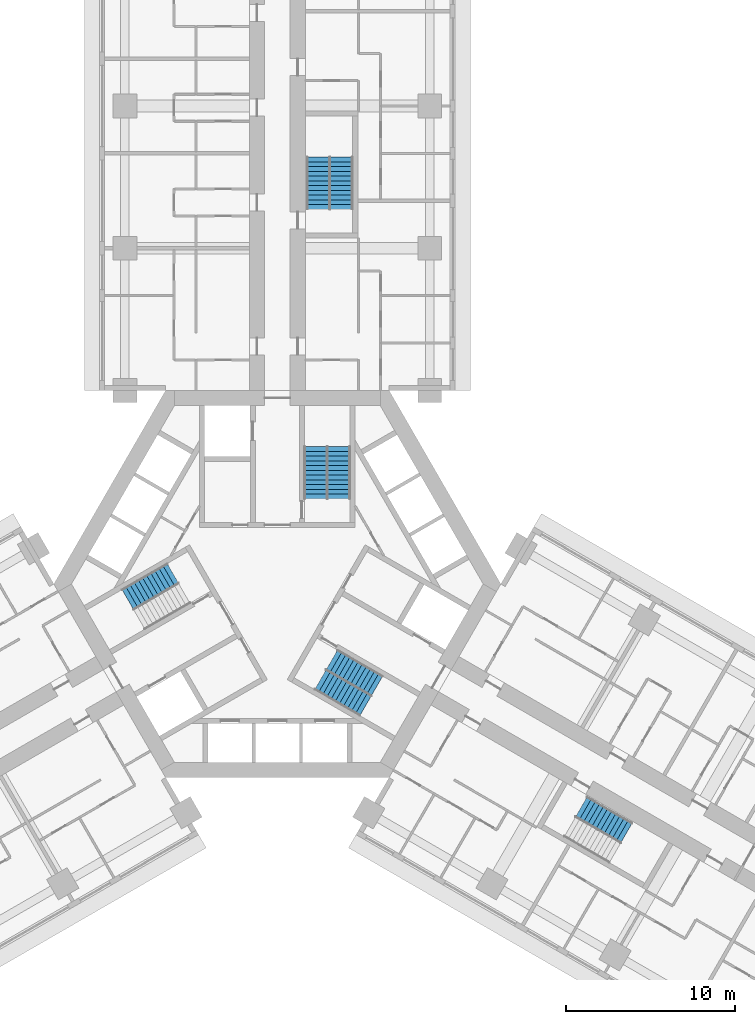
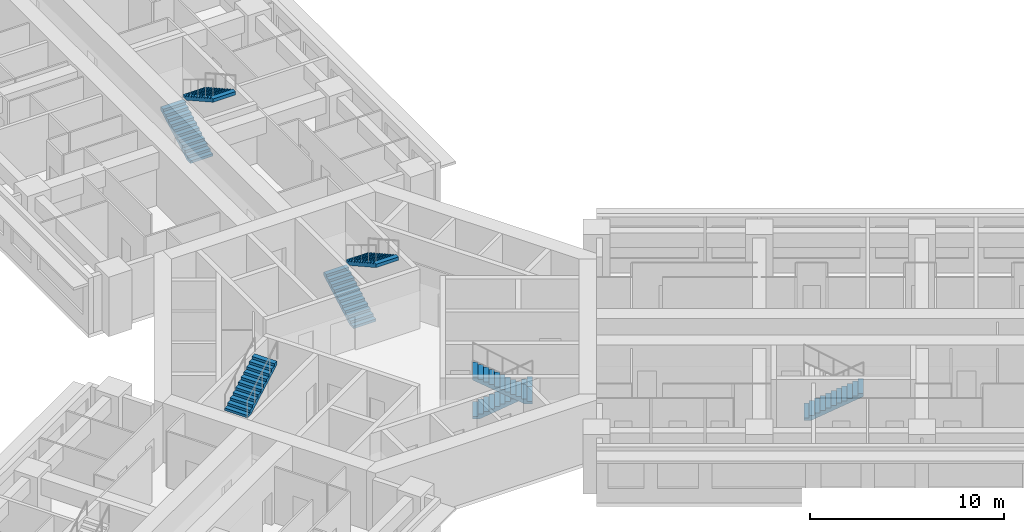
# One storey, part 15 of 16: 8 stair flights, 5 elements without a shape of their own.
"""IFC4 building model written with IfcOpenShell, lengths in metres."""

from ifc_helpers import new_model, si_unit, direction, frame, origin, place, context, subcontext, project, spatial, polyline, outline, extrude, material, type_object, element, aggregate, save


model = new_model("IFC4")

# Units and contexts
model_context = context("Model", 3, precision=1e-05, world=origin(), true_north=direction((0.0, 1.0)))
body_context = subcontext(model_context, "Body", "Model", "MODEL_VIEW")
ifc_project = project(units=[si_unit("LENGTHUNIT", "METRE"), si_unit("AREAUNIT", "SQUARE_METRE"), si_unit("VOLUMEUNIT", "CUBIC_METRE"), si_unit("PLANEANGLEUNIT", "RADIAN"), si_unit("MASSUNIT", "GRAM", prefix="KILO")], contexts=[model_context])

# Site, building, storey
site_placement = place(None, origin())
site = spatial("IfcSite", under=ifc_project, at=site_placement, CompositionType="ELEMENT")
building_placement = place(site_placement, origin())
building = spatial("IfcBuilding", under=site, at=building_placement, Name="Impinga Residences", CompositionType="ELEMENT")
storey_placement = place(building_placement, frame((0.0, 0.0, 63.5)))
storey = spatial("IfcBuildingStorey", under=building, at=storey_placement, Name="L15", CompositionType="ELEMENT", Elevation=63.5)

# Stair, stair flights
ifc_material = material(Name="Concrete C40/50", Category="concrete")
stair_type_1 = type_object("IfcStairType", Name="STR core stair 3750 storey, 24 risers", PredefinedType="HALF_TURN_STAIR", material=ifc_material)
stair_1_placement = place(storey_placement, origin())
stair_1 = element("IfcStair", 1, at=stair_1_placement, inside=storey, type_object=stair_type_1, Name="Stair ST1 L15", PredefinedType="HALF_TURN_STAIR")
stair_flight_type = type_object("IfcStairFlightType", Name="SF 12 risers of 156", PredefinedType="STRAIGHT", material=ifc_material)
stair_flight_1_placement = place(storey_placement, frame((2.27490234375, 5.030029296875, 0.0), z_axis=(0.0, 0.0, 1.0), x_axis=(0.0, 1.0, 0.0)))
stair_flight_1 = element("IfcStairFlight", 2, at=stair_flight_1_placement, type_object=stair_flight_type, Name="ST1 flight 1", NumberOfRisers=12, NumberOfTreads=11, PredefinedType="STRAIGHT", RiserHeight=0.15625, TreadLength=0.28, context=body_context, shape_type="SweptSolid", body=[
    extrude(outline(polyline([(0.0, 0.0), (0.0, 0.15625), (0.280029296875, 0.15625), (0.280029296875, 0.3125), (0.56005859375, 0.3125), (0.56005859375, 0.46875), (0.840087890625, 0.46875), (0.840087890625, 0.625), (1.1201171875, 0.625), (1.1201171875, 0.78125), (1.39990234375, 0.78125), (1.39990234375, 0.9375), (1.679931640625, 0.9375), (1.679931640625, 1.09375), (1.9599609375, 1.09375), (1.9599609375, 1.25), (2.239990234375, 1.25), (2.239990234375, 1.40625), (2.52001953125, 1.40625), (2.52001953125, 1.5625), (2.800048828125, 1.5625), (2.800048828125, 1.71875), (3.080078125, 1.71875), (3.080078125, 1.875), (3.080078125, 1.5126953125), (0.369140625, 0.0), (0.0, 0.0)])), frame((0.0, 0.675048828125, 0.0), z_axis=(0.0, -1.0, 0.0), x_axis=(1.0, 0.0, 0.0)), (0.0, 0.0, 1.0), 1.35009765625),
])
stair_flight_2_placement = place(storey_placement, frame((3.625, 8.110107421875, 1.875), z_axis=(0.0, 0.0, 1.0), x_axis=(0.0, -1.0, 0.0)))
stair_flight_2 = element("IfcStairFlight", 3, at=stair_flight_2_placement, type_object=stair_flight_type, Name="ST1 flight 2", NumberOfRisers=12, NumberOfTreads=11, PredefinedType="STRAIGHT", RiserHeight=0.15625, TreadLength=0.28, context=body_context, shape_type="SweptSolid", body=[
    extrude(outline(polyline([(0.0, 0.0), (0.0, 0.15625), (0.280029296875, 0.15625), (0.280029296875, 0.3125), (0.56005859375, 0.3125), (0.56005859375, 0.46875), (0.840087890625, 0.46875), (0.840087890625, 0.625), (1.1201171875, 0.625), (1.1201171875, 0.78125), (1.39990234375, 0.78125), (1.39990234375, 0.9375), (1.679931640625, 0.9375), (1.679931640625, 1.09375), (1.9599609375, 1.09375), (1.9599609375, 1.25), (2.239990234375, 1.25), (2.239990234375, 1.40625), (2.52001953125, 1.40625), (2.52001953125, 1.5625), (2.800048828125, 1.5625), (2.800048828125, 1.71875), (3.080078125, 1.71875), (3.080078125, 1.875), (3.080078125, 1.5126953125), (0.369140625, 0.0), (0.0, 0.0)])), frame((0.0, 0.675048828125, 0.0), z_axis=(0.0, -1.0, 0.0), x_axis=(1.0, 0.0, 0.0)), (0.0, 0.0, 1.0), 1.35009765625),
])
aggregate(stair_1, [stair_flight_1, stair_flight_2])

# Stair, stair flight
stair_2_placement = place(storey_placement, origin())
stair_2 = element("IfcStair", 4, at=stair_2_placement, inside=storey, type_object=stair_type_1, Name="Stair ST2 L15", PredefinedType="HALF_TURN_STAIR")
stair_flight_3_placement = place(storey_placement, frame((-8.8359375, -0.915771484375, 1.875), z_axis=(0.0, 0.0, 1.0), x_axis=(0.866025403784, 0.5, 0.0)))
stair_flight_3 = element("IfcStairFlight", 5, at=stair_flight_3_placement, type_object=stair_flight_type, Name="ST2 flight 2", NumberOfRisers=12, NumberOfTreads=11, PredefinedType="STRAIGHT", RiserHeight=0.15625, TreadLength=0.28, context=body_context, shape_type="SweptSolid", body=[
    extrude(outline(polyline([(0.0, 0.0), (0.0, 0.15625), (0.280029296875, 0.15625), (0.280029296875, 0.3125), (0.56005859375, 0.3125), (0.56005859375, 0.46875), (0.840087890625, 0.46875), (0.840087890625, 0.625), (1.1201171875, 0.625), (1.1201171875, 0.78125), (1.39990234375, 0.78125), (1.39990234375, 0.9375), (1.679931640625, 0.9375), (1.679931640625, 1.09375), (1.9599609375, 1.09375), (1.9599609375, 1.25), (2.239990234375, 1.25), (2.239990234375, 1.40625), (2.52001953125, 1.40625), (2.52001953125, 1.5625), (2.800048828125, 1.5625), (2.800048828125, 1.71875), (3.080078125, 1.71875), (3.080078125, 1.875), (3.080078125, 1.5126953125), (0.369140625, 0.0), (0.0, 0.0)])), frame((0.0, 0.675048828125, 0.0), z_axis=(0.0, -1.0, 0.0), x_axis=(1.0, 0.0, 0.0)), (0.0, 0.0, 1.0), 1.35009765625),
])
aggregate(stair_2, [stair_flight_3])

# Stair, stair flights
stair_3_placement = place(storey_placement, origin())
stair_3 = element("IfcStair", 6, at=stair_3_placement, inside=storey, type_object=stair_type_1, Name="Stair ST3 L15", PredefinedType="HALF_TURN_STAIR")
stair_flight_4_placement = place(storey_placement, frame((3.218505859375, -4.485107421875, 0.0), z_axis=(0.0, 0.0, 1.0), x_axis=(0.866025403784, -0.5, 0.0)))
stair_flight_4 = element("IfcStairFlight", 7, at=stair_flight_4_placement, type_object=stair_flight_type, Name="ST3 flight 1", NumberOfRisers=12, NumberOfTreads=11, PredefinedType="STRAIGHT", RiserHeight=0.15625, TreadLength=0.28, context=body_context, shape_type="SweptSolid", body=[
    extrude(outline(polyline([(0.0, 0.0), (0.0, 0.15625), (0.280029296875, 0.15625), (0.280029296875, 0.3125), (0.56005859375, 0.3125), (0.56005859375, 0.46875), (0.840087890625, 0.46875), (0.840087890625, 0.625), (1.1201171875, 0.625), (1.1201171875, 0.78125), (1.39990234375, 0.78125), (1.39990234375, 0.9375), (1.679931640625, 0.9375), (1.679931640625, 1.09375), (1.9599609375, 1.09375), (1.9599609375, 1.25), (2.239990234375, 1.25), (2.239990234375, 1.40625), (2.52001953125, 1.40625), (2.52001953125, 1.5625), (2.800048828125, 1.5625), (2.800048828125, 1.71875), (3.080078125, 1.71875), (3.080078125, 1.875), (3.080078125, 1.5126953125), (0.369140625, 0.0), (0.0, 0.0)])), frame((0.0, 0.675048828125, 0.0), z_axis=(0.0, -1.0, 0.0), x_axis=(1.0, 0.0, 0.0)), (0.0, 0.0, 1.0), 1.35009765625),
])
stair_flight_5_placement = place(storey_placement, frame((5.2109375, -7.1943359375, 1.875), z_axis=(0.0, 0.0, 1.0), x_axis=(-0.866025403784, 0.5, 0.0)))
stair_flight_5 = element("IfcStairFlight", 8, at=stair_flight_5_placement, type_object=stair_flight_type, Name="ST3 flight 2", NumberOfRisers=12, NumberOfTreads=11, PredefinedType="STRAIGHT", RiserHeight=0.15625, TreadLength=0.28, context=body_context, shape_type="SweptSolid", body=[
    extrude(outline(polyline([(0.0, 0.0), (0.0, 0.15625), (0.280029296875, 0.15625), (0.280029296875, 0.3125), (0.56005859375, 0.3125), (0.56005859375, 0.46875), (0.840087890625, 0.46875), (0.840087890625, 0.625), (1.1201171875, 0.625), (1.1201171875, 0.78125), (1.39990234375, 0.78125), (1.39990234375, 0.9375), (1.679931640625, 0.9375), (1.679931640625, 1.09375), (1.9599609375, 1.09375), (1.9599609375, 1.25), (2.239990234375, 1.25), (2.239990234375, 1.40625), (2.52001953125, 1.40625), (2.52001953125, 1.5625), (2.800048828125, 1.5625), (2.800048828125, 1.71875), (3.080078125, 1.71875), (3.080078125, 1.875), (3.080078125, 1.5126953125), (0.369140625, 0.0), (0.0, 0.0)])), frame((0.0, 0.675048828125, 0.0), z_axis=(0.0, -1.0, 0.0), x_axis=(1.0, 0.0, 0.0)), (0.0, 0.0, 1.0), 1.35009765625),
])
aggregate(stair_3, [stair_flight_4, stair_flight_5])

stair_type_2 = type_object("IfcStairType", Name="STR wing stair 3750 storey, 24 risers", PredefinedType="HALF_TURN_STAIR", material=ifc_material)
stair_4_placement = place(storey_placement, origin())
stair_4 = element("IfcStair", 9, at=stair_4_placement, inside=storey, type_object=stair_type_2, Name="Stair WS1 L15", PredefinedType="HALF_TURN_STAIR")
stair_flight_6_placement = place(storey_placement, frame((2.425048828125, 22.131591796875, 0.0), z_axis=(0.0, 0.0, 1.0), x_axis=(0.0, 1.0, 0.0)))
stair_flight_6 = element("IfcStairFlight", 10, at=stair_flight_6_placement, type_object=stair_flight_type, Name="WS1 flight 1", NumberOfRisers=12, NumberOfTreads=11, PredefinedType="STRAIGHT", RiserHeight=0.15625, TreadLength=0.28, context=body_context, shape_type="SweptSolid", body=[
    extrude(outline(polyline([(0.0, 0.0), (0.0, 0.15625), (0.280029296875, 0.15625), (0.280029296875, 0.3125), (0.56005859375, 0.3125), (0.56005859375, 0.46875), (0.840087890625, 0.46875), (0.840087890625, 0.625), (1.1201171875, 0.625), (1.1201171875, 0.78125), (1.39990234375, 0.78125), (1.39990234375, 0.9375), (1.679931640625, 0.9375), (1.679931640625, 1.09375), (1.9599609375, 1.09375), (1.9599609375, 1.25), (2.239990234375, 1.25), (2.239990234375, 1.40625), (2.52001953125, 1.40625), (2.52001953125, 1.5625), (2.800048828125, 1.5625), (2.800048828125, 1.71875), (3.080078125, 1.71875), (3.080078125, 1.875), (3.080078125, 1.5126953125), (0.369140625, 0.0), (0.0, 0.0)])), frame((0.0, 0.675048828125, 0.0), z_axis=(0.0, -1.0, 0.0), x_axis=(1.0, 0.0, 0.0)), (0.0, 0.0, 1.0), 1.35009765625),
])
stair_flight_7_placement = place(storey_placement, frame((3.77490234375, 25.21142578125, 1.875), z_axis=(0.0, 0.0, 1.0), x_axis=(0.0, -1.0, 0.0)))
stair_flight_7 = element("IfcStairFlight", 11, at=stair_flight_7_placement, type_object=stair_flight_type, Name="WS1 flight 2", NumberOfRisers=12, NumberOfTreads=11, PredefinedType="STRAIGHT", RiserHeight=0.15625, TreadLength=0.28, context=body_context, shape_type="SweptSolid", body=[
    extrude(outline(polyline([(0.0, 0.0), (0.0, 0.15625), (0.280029296875, 0.15625), (0.280029296875, 0.3125), (0.56005859375, 0.3125), (0.56005859375, 0.46875), (0.840087890625, 0.46875), (0.840087890625, 0.625), (1.1201171875, 0.625), (1.1201171875, 0.78125), (1.39990234375, 0.78125), (1.39990234375, 0.9375), (1.679931640625, 0.9375), (1.679931640625, 1.09375), (1.9599609375, 1.09375), (1.9599609375, 1.25), (2.239990234375, 1.25), (2.239990234375, 1.40625), (2.52001953125, 1.40625), (2.52001953125, 1.5625), (2.800048828125, 1.5625), (2.800048828125, 1.71875), (3.080078125, 1.71875), (3.080078125, 1.875), (3.080078125, 1.5126953125), (0.369140625, 0.0), (0.0, 0.0)])), frame((0.0, 0.675048828125, 0.0), z_axis=(0.0, -1.0, 0.0), x_axis=(1.0, 0.0, 0.0)), (0.0, 0.0, 1.0), 1.35009765625),
])
aggregate(stair_4, [stair_flight_6, stair_flight_7])

# Stair, stair flight
stair_5_placement = place(storey_placement, origin())
stair_5 = element("IfcStair", 12, at=stair_5_placement, inside=storey, type_object=stair_type_2, Name="Stair WS3 L15", PredefinedType="HALF_TURN_STAIR")
stair_flight_8_placement = place(storey_placement, frame((17.953857421875, -13.165771484375, 0.0), z_axis=(0.0, 0.0, 1.0), x_axis=(0.866025403784, -0.5, 0.0)))
stair_flight_8 = element("IfcStairFlight", 13, at=stair_flight_8_placement, type_object=stair_flight_type, Name="WS3 flight 1", NumberOfRisers=12, NumberOfTreads=11, PredefinedType="STRAIGHT", RiserHeight=0.15625, TreadLength=0.28, context=body_context, shape_type="SweptSolid", body=[
    extrude(outline(polyline([(0.0, 0.0), (0.0, 0.15625), (0.280029296875, 0.15625), (0.280029296875, 0.3125), (0.56005859375, 0.3125), (0.56005859375, 0.46875), (0.840087890625, 0.46875), (0.840087890625, 0.625), (1.1201171875, 0.625), (1.1201171875, 0.78125), (1.39990234375, 0.78125), (1.39990234375, 0.9375), (1.679931640625, 0.9375), (1.679931640625, 1.09375), (1.9599609375, 1.09375), (1.9599609375, 1.25), (2.239990234375, 1.25), (2.239990234375, 1.40625), (2.52001953125, 1.40625), (2.52001953125, 1.5625), (2.800048828125, 1.5625), (2.800048828125, 1.71875), (3.080078125, 1.71875), (3.080078125, 1.875), (3.080078125, 1.5126953125), (0.369140625, 0.0), (0.0, 0.0)])), frame((0.0, 0.675048828125, 0.0), z_axis=(0.0, -1.0, 0.0), x_axis=(1.0, 0.0, 0.0)), (0.0, 0.0, 1.0), 1.35009765625),
])
aggregate(stair_5, [stair_flight_8])

save(model, "model.ifc")
